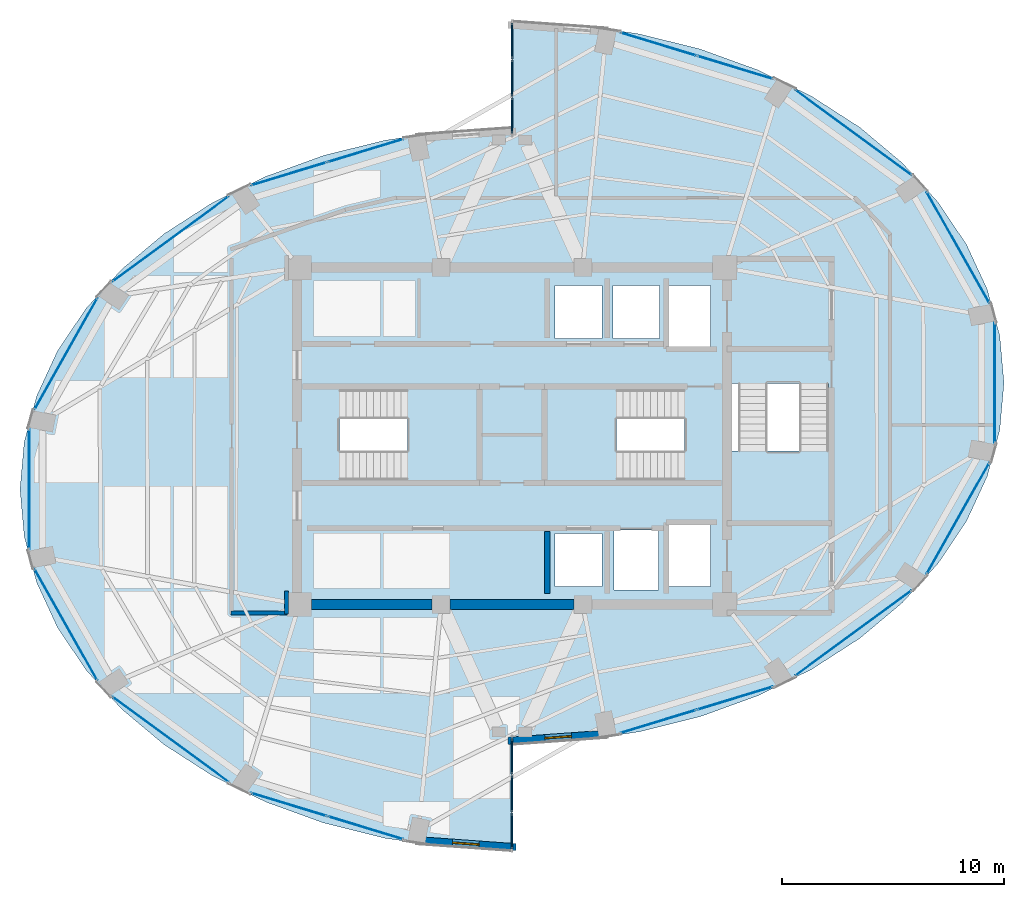
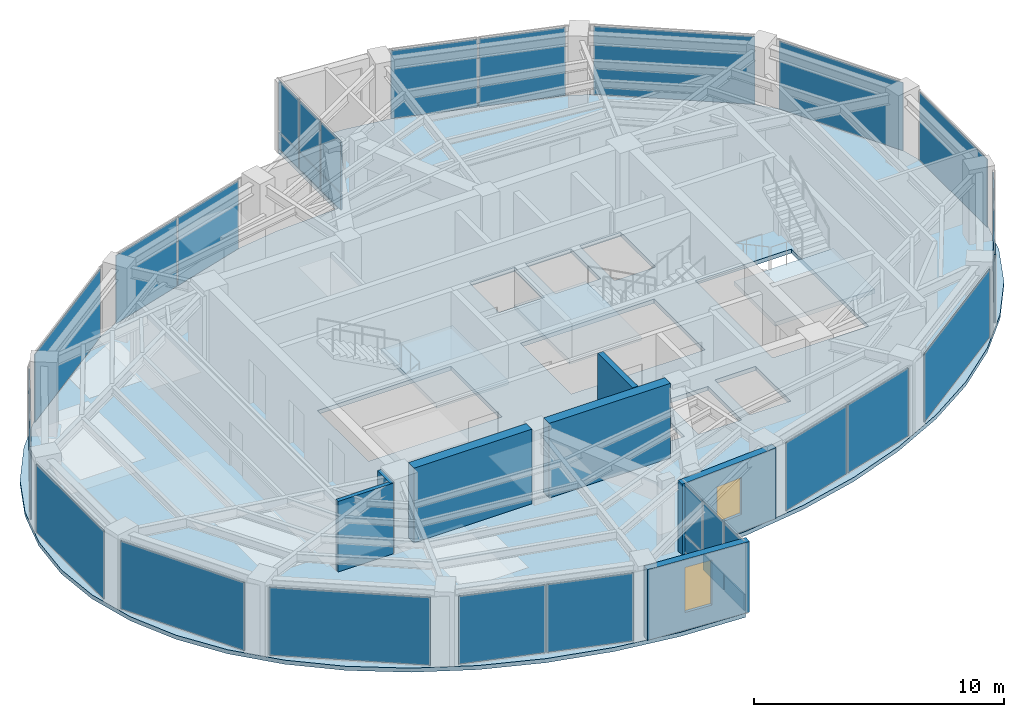
# One storey, part 18 of 22: 30 plates, 7 walls, 4 slabs, 2 windows, 2 openings, 19 elements without a shape of their own.
"""IFC4 building model written with IfcOpenShell, lengths in metres."""

from ifc_helpers import new_model, si_unit, direction, frame, frame_2d, origin, origin_2d, place, context, subcontext, project, spatial, polyline, rectangle, outline, extrude, material, layer, layer_set, type_object, element, fill, aggregate, save


model = new_model("IFC4")

# Units and contexts
model_context = context("Model", 3, precision=1e-05, world=origin(), true_north=direction((0.0, 1.0)))
body_context = subcontext(model_context, "Body", "Model", "MODEL_VIEW")
ifc_project = project(units=[si_unit("LENGTHUNIT", "METRE"), si_unit("AREAUNIT", "SQUARE_METRE"), si_unit("VOLUMEUNIT", "CUBIC_METRE"), si_unit("PLANEANGLEUNIT", "RADIAN"), si_unit("MASSUNIT", "GRAM", prefix="KILO")], contexts=[model_context])

# Site, building, storey
site_placement = place(None, origin())
site = spatial("IfcSite", under=ifc_project, at=site_placement, CompositionType="ELEMENT")
building_placement = place(site_placement, origin())
building = spatial("IfcBuilding", under=site, at=building_placement, Name="Lazwardi Medical Tower", CompositionType="ELEMENT")
storey_placement = place(building_placement, frame((0.0, 0.0, 255.02392578125)))
storey = spatial("IfcBuildingStorey", under=building, at=storey_placement, Name="L66", CompositionType="ELEMENT", Elevation=255.02392578125)

# Curtain wall, plates
ifc_material_1 = material(Name="Anodised bronze aluminium and solar control glazing", Category="aluminium")
ifc_layer_1 = layer(ifc_material_1, 0.18994140625)
ifc_layer_set_1 = layer_set([ifc_layer_1], Name="Anodised bronze aluminium and solar control glazing")
curtain_wall_type_1 = type_object("IfcCurtainWallType", Name="CW-SYS-04", PredefinedType="NOTDEFINED", material=ifc_layer_set_1)
curtain_wall_1_placement = place(storey_placement, origin())
curtain_wall_1 = element("IfcCurtainWall", 1, at=curtain_wall_1_placement, inside=storey, type_object=curtain_wall_type_1, Name="L66 Unitised bronze curtain wall CW-04", PredefinedType="NOTDEFINED")
ifc_material_2 = material(Name="Low-e bronze solar control double glazing", Category="glass")
ifc_layer_2 = layer(ifc_material_2, 0.035888671875)
ifc_layer_set_2 = layer_set([ifc_layer_2], Name="Low-e bronze solar control double glazing")
plate_type_1 = type_object("IfcPlateType", Name="PLT-GLZ-01", PredefinedType="CURTAIN_PANEL", material=ifc_layer_set_2)
plate_1_placement = place(storey_placement, frame((42.604736328125, 15.118896484375, 0.06494140625), z_axis=(0.0, 0.0, 1.0), x_axis=(0.956850126972, 0.290581889515, 0.0)))
plate_1 = element("IfcPlate", 2, at=plate_1_placement, type_object=plate_type_1, Name="CW-04 panel 1.1", PredefinedType="CURTAIN_PANEL", context=body_context, shape_type="SweptSolid", body=[
    extrude(rectangle(XDim=3.554443359375, YDim=0.035888671875, at=origin_2d()), origin(), (0.0, 0.0, 1.0), 3.318115234375),
])
plate_2_placement = place(storey_placement, frame((46.068115234375, 16.170654296875, 0.06494140625), z_axis=(0.0, 0.0, 1.0), x_axis=(0.956850126972, 0.290581889515, 0.0)))
plate_2 = element("IfcPlate", 3, at=plate_2_placement, type_object=plate_type_1, Name="CW-04 panel 2.1", PredefinedType="CURTAIN_PANEL", context=body_context, shape_type="SweptSolid", body=[
    extrude(rectangle(XDim=3.554443359375, YDim=0.035888671875, at=origin_2d()), origin(), (0.0, 0.0, 1.0), 3.318115234375),
])
aggregate(curtain_wall_1, [plate_1, plate_2])

# Curtain wall, plate
curtain_wall_2_placement = place(storey_placement, origin())
curtain_wall_2 = element("IfcCurtainWall", 4, at=curtain_wall_2_placement, inside=storey, type_object=curtain_wall_type_1, Name="L66 Unitised bronze curtain wall CW-04", PredefinedType="NOTDEFINED")
plate_3_placement = place(storey_placement, frame((51.403564453125, 19.106689453125, 0.06494140625), z_axis=(0.0, 0.0, 1.0), x_axis=(0.806474971121, 0.591268230971, 0.0)))
plate_3 = element("IfcPlate", 5, at=plate_3_placement, type_object=plate_type_1, Name="CW-04 panel 1.1", PredefinedType="CURTAIN_PANEL", context=body_context, shape_type="SweptSolid", body=[
    extrude(rectangle(XDim=6.502685546875, YDim=0.035888671875, at=origin_2d()), origin(), (0.0, 0.0, 1.0), 3.318115234375),
])
aggregate(curtain_wall_2, [plate_3])

curtain_wall_3_placement = place(storey_placement, origin())
curtain_wall_3 = element("IfcCurtainWall", 6, at=curtain_wall_3_placement, inside=storey, type_object=curtain_wall_type_1, Name="L66 Unitised bronze curtain wall CW-04", PredefinedType="NOTDEFINED")
plate_4_placement = place(storey_placement, frame((56.125732421875, 24.2880859375, 0.06494140625), z_axis=(0.0, 0.0, 1.0), x_axis=(0.491900474661, 0.870651436011, 0.0)))
plate_4 = element("IfcPlate", 7, at=plate_4_placement, type_object=plate_type_1, Name="CW-04 panel 1.1", PredefinedType="CURTAIN_PANEL", context=body_context, shape_type="SweptSolid", body=[
    extrude(rectangle(XDim=5.755126953125, YDim=0.035888671875, at=origin_2d()), origin(), (0.0, 0.0, 1.0), 3.318115234375),
])
aggregate(curtain_wall_3, [plate_4])

curtain_wall_4_placement = place(storey_placement, origin())
curtain_wall_4 = element("IfcCurtainWall", 8, at=curtain_wall_4_placement, inside=storey, type_object=curtain_wall_type_1, Name="L66 Unitised bronze curtain wall CW-04", PredefinedType="NOTDEFINED")
plate_5_placement = place(storey_placement, frame((57.7841796875, 30.39990234375, 0.06494140625), z_axis=(0.0, 0.0, 1.0), x_axis=(0.0, 1.0, 0.0)))
plate_5 = element("IfcPlate", 9, at=plate_5_placement, type_object=plate_type_1, Name="CW-04 panel 1.1", PredefinedType="CURTAIN_PANEL", context=body_context, shape_type="SweptSolid", body=[
    extrude(rectangle(XDim=5.416015625, YDim=0.035888671875, at=origin_2d()), origin(), (0.0, 0.0, 1.0), 3.318115234375),
])
aggregate(curtain_wall_4, [plate_5])

curtain_wall_5_placement = place(storey_placement, origin())
curtain_wall_5 = element("IfcCurtainWall", 10, at=curtain_wall_5_placement, inside=storey, type_object=curtain_wall_type_1, Name="L66 Unitised bronze curtain wall CW-04", PredefinedType="NOTDEFINED")
plate_6_placement = place(storey_placement, frame((56.125732421875, 36.511962890625, 0.06494140625), z_axis=(0.0, 0.0, 1.0), x_axis=(-0.491900474661, 0.870651436011, 0.0)))
plate_6 = element("IfcPlate", 11, at=plate_6_placement, type_object=plate_type_1, Name="CW-04 panel 1.1", PredefinedType="CURTAIN_PANEL", context=body_context, shape_type="SweptSolid", body=[
    extrude(rectangle(XDim=5.755126953125, YDim=0.035888671875, at=origin_2d()), origin(), (0.0, 0.0, 1.0), 3.318115234375),
])
aggregate(curtain_wall_5, [plate_6])

curtain_wall_6_placement = place(storey_placement, origin())
curtain_wall_6 = element("IfcCurtainWall", 12, at=curtain_wall_6_placement, inside=storey, type_object=curtain_wall_type_1, Name="L66 Unitised bronze curtain wall CW-04", PredefinedType="NOTDEFINED")
plate_7_placement = place(storey_placement, frame((51.403564453125, 41.693359375, 0.06494140625), z_axis=(0.0, 0.0, 1.0), x_axis=(-0.806474971121, 0.591268230971, 0.0)))
plate_7 = element("IfcPlate", 13, at=plate_7_placement, type_object=plate_type_1, Name="CW-04 panel 1.1", PredefinedType="CURTAIN_PANEL", context=body_context, shape_type="SweptSolid", body=[
    extrude(rectangle(XDim=6.502685546875, YDim=0.035888671875, at=origin_2d()), origin(), (0.0, 0.0, 1.0), 3.318115234375),
])
aggregate(curtain_wall_6, [plate_7])

# Curtain wall, plates
curtain_wall_7_placement = place(storey_placement, origin())
curtain_wall_7 = element("IfcCurtainWall", 14, at=curtain_wall_7_placement, inside=storey, type_object=curtain_wall_type_1, Name="L66 Unitised bronze curtain wall CW-04", PredefinedType="NOTDEFINED")
plate_8_placement = place(storey_placement, frame((46.068115234375, 44.62939453125, 0.06494140625), z_axis=(0.0, 0.0, 1.0), x_axis=(-0.956850126972, 0.290581889515, 0.0)))
plate_8 = element("IfcPlate", 15, at=plate_8_placement, type_object=plate_type_1, Name="CW-04 panel 1.1", PredefinedType="CURTAIN_PANEL", context=body_context, shape_type="SweptSolid", body=[
    extrude(rectangle(XDim=3.554443359375, YDim=0.035888671875, at=origin_2d()), origin(), (0.0, 0.0, 1.0), 3.318115234375),
])
plate_9_placement = place(storey_placement, frame((42.604736328125, 45.68115234375, 0.06494140625), z_axis=(0.0, 0.0, 1.0), x_axis=(-0.956850126972, 0.290581889515, 0.0)))
plate_9 = element("IfcPlate", 16, at=plate_9_placement, type_object=plate_type_1, Name="CW-04 panel 2.1", PredefinedType="CURTAIN_PANEL", context=body_context, shape_type="SweptSolid", body=[
    extrude(rectangle(XDim=3.554443359375, YDim=0.035888671875, at=origin_2d()), origin(), (0.0, 0.0, 1.0), 3.318115234375),
])
aggregate(curtain_wall_7, [plate_8, plate_9])

curtain_wall_8_placement = place(storey_placement, origin())
curtain_wall_8 = element("IfcCurtainWall", 17, at=curtain_wall_8_placement, inside=storey, type_object=curtain_wall_type_1, Name="L66 Unitised bronze curtain wall CW-04", PredefinedType="NOTDEFINED")
plate_10_placement = place(storey_placement, frame((29.395263671875, 40.881103515625, 0.06494140625), z_axis=(0.0, 0.0, 1.0), x_axis=(-0.956850126972, -0.290581889515, 0.0)))
plate_10 = element("IfcPlate", 18, at=plate_10_placement, type_object=plate_type_1, Name="CW-04 panel 1.1", PredefinedType="CURTAIN_PANEL", context=body_context, shape_type="SweptSolid", body=[
    extrude(rectangle(XDim=3.554443359375, YDim=0.035888671875, at=origin_2d()), origin(), (0.0, 0.0, 1.0), 3.318115234375),
])
plate_11_placement = place(storey_placement, frame((25.931884765625, 39.829345703125, 0.06494140625), z_axis=(0.0, 0.0, 1.0), x_axis=(-0.956850126972, -0.290581889515, 0.0)))
plate_11 = element("IfcPlate", 19, at=plate_11_placement, type_object=plate_type_1, Name="CW-04 panel 2.1", PredefinedType="CURTAIN_PANEL", context=body_context, shape_type="SweptSolid", body=[
    extrude(rectangle(XDim=3.554443359375, YDim=0.035888671875, at=origin_2d()), origin(), (0.0, 0.0, 1.0), 3.318115234375),
])
aggregate(curtain_wall_8, [plate_10, plate_11])

# Curtain wall, plate
curtain_wall_9_placement = place(storey_placement, origin())
curtain_wall_9 = element("IfcCurtainWall", 20, at=curtain_wall_9_placement, inside=storey, type_object=curtain_wall_type_1, Name="L66 Unitised bronze curtain wall CW-04", PredefinedType="NOTDEFINED")
plate_12_placement = place(storey_placement, frame((20.596435546875, 36.893310546875, 0.06494140625), z_axis=(0.0, 0.0, 1.0), x_axis=(-0.806474971121, -0.591268230971, 0.0)))
plate_12 = element("IfcPlate", 21, at=plate_12_placement, type_object=plate_type_1, Name="CW-04 panel 1.1", PredefinedType="CURTAIN_PANEL", context=body_context, shape_type="SweptSolid", body=[
    extrude(rectangle(XDim=6.502685546875, YDim=0.035888671875, at=origin_2d()), origin(), (0.0, 0.0, 1.0), 3.318115234375),
])
aggregate(curtain_wall_9, [plate_12])

curtain_wall_10_placement = place(storey_placement, origin())
curtain_wall_10 = element("IfcCurtainWall", 22, at=curtain_wall_10_placement, inside=storey, type_object=curtain_wall_type_1, Name="L66 Unitised bronze curtain wall CW-04", PredefinedType="NOTDEFINED")
plate_13_placement = place(storey_placement, frame((15.874267578125, 31.7119140625, 0.06494140625), z_axis=(0.0, 0.0, 1.0), x_axis=(-0.491900474661, -0.870651436011, 0.0)))
plate_13 = element("IfcPlate", 23, at=plate_13_placement, type_object=plate_type_1, Name="CW-04 panel 1.1", PredefinedType="CURTAIN_PANEL", context=body_context, shape_type="SweptSolid", body=[
    extrude(rectangle(XDim=5.755126953125, YDim=0.035888671875, at=origin_2d()), origin(), (0.0, 0.0, 1.0), 3.318115234375),
])
aggregate(curtain_wall_10, [plate_13])

curtain_wall_11_placement = place(storey_placement, origin())
curtain_wall_11 = element("IfcCurtainWall", 24, at=curtain_wall_11_placement, inside=storey, type_object=curtain_wall_type_1, Name="L66 Unitised bronze curtain wall CW-04", PredefinedType="NOTDEFINED")
plate_14_placement = place(storey_placement, frame((14.2158203125, 25.60009765625, 0.06494140625), z_axis=(0.0, 0.0, 1.0), x_axis=(0.0, -1.0, 0.0)))
plate_14 = element("IfcPlate", 25, at=plate_14_placement, type_object=plate_type_1, Name="CW-04 panel 1.1", PredefinedType="CURTAIN_PANEL", context=body_context, shape_type="SweptSolid", body=[
    extrude(rectangle(XDim=5.416015625, YDim=0.035888671875, at=origin_2d()), origin(), (0.0, 0.0, 1.0), 3.318115234375),
])
aggregate(curtain_wall_11, [plate_14])

curtain_wall_12_placement = place(storey_placement, origin())
curtain_wall_12 = element("IfcCurtainWall", 26, at=curtain_wall_12_placement, inside=storey, type_object=curtain_wall_type_1, Name="L66 Unitised bronze curtain wall CW-04", PredefinedType="NOTDEFINED")
plate_15_placement = place(storey_placement, frame((15.874267578125, 19.488037109375, 0.06494140625), z_axis=(0.0, 0.0, 1.0), x_axis=(0.491900474661, -0.870651436011, 0.0)))
plate_15 = element("IfcPlate", 27, at=plate_15_placement, type_object=plate_type_1, Name="CW-04 panel 1.1", PredefinedType="CURTAIN_PANEL", context=body_context, shape_type="SweptSolid", body=[
    extrude(rectangle(XDim=5.755126953125, YDim=0.035888671875, at=origin_2d()), origin(), (0.0, 0.0, 1.0), 3.318115234375),
])
aggregate(curtain_wall_12, [plate_15])

curtain_wall_13_placement = place(storey_placement, origin())
curtain_wall_13 = element("IfcCurtainWall", 28, at=curtain_wall_13_placement, inside=storey, type_object=curtain_wall_type_1, Name="L66 Unitised bronze curtain wall CW-04", PredefinedType="NOTDEFINED")
plate_16_placement = place(storey_placement, frame((20.596435546875, 14.306640625, 0.06494140625), z_axis=(0.0, 0.0, 1.0), x_axis=(0.806474971121, -0.591268230971, 0.0)))
plate_16 = element("IfcPlate", 29, at=plate_16_placement, type_object=plate_type_1, Name="CW-04 panel 1.1", PredefinedType="CURTAIN_PANEL", context=body_context, shape_type="SweptSolid", body=[
    extrude(rectangle(XDim=6.502685546875, YDim=0.035888671875, at=origin_2d()), origin(), (0.0, 0.0, 1.0), 3.318115234375),
])
aggregate(curtain_wall_13, [plate_16])

# Curtain wall, plates
curtain_wall_14_placement = place(storey_placement, origin())
curtain_wall_14 = element("IfcCurtainWall", 30, at=curtain_wall_14_placement, inside=storey, type_object=curtain_wall_type_1, Name="L66 Unitised bronze curtain wall CW-04", PredefinedType="NOTDEFINED")
plate_17_placement = place(storey_placement, frame((25.931884765625, 11.37060546875, 0.06494140625), z_axis=(0.0, 0.0, 1.0), x_axis=(0.956850126972, -0.290581889515, 0.0)))
plate_17 = element("IfcPlate", 31, at=plate_17_placement, type_object=plate_type_1, Name="CW-04 panel 1.1", PredefinedType="CURTAIN_PANEL", context=body_context, shape_type="SweptSolid", body=[
    extrude(rectangle(XDim=3.554443359375, YDim=0.035888671875, at=origin_2d()), origin(), (0.0, 0.0, 1.0), 3.318115234375),
])
plate_18_placement = place(storey_placement, frame((29.395263671875, 10.31884765625, 0.06494140625), z_axis=(0.0, 0.0, 1.0), x_axis=(0.956850126972, -0.290581889515, 0.0)))
plate_18 = element("IfcPlate", 32, at=plate_18_placement, type_object=plate_type_1, Name="CW-04 panel 2.1", PredefinedType="CURTAIN_PANEL", context=body_context, shape_type="SweptSolid", body=[
    extrude(rectangle(XDim=3.554443359375, YDim=0.035888671875, at=origin_2d()), origin(), (0.0, 0.0, 1.0), 3.318115234375),
])
aggregate(curtain_wall_14, [plate_17, plate_18])

ifc_layer_3 = layer(ifc_material_1, 0.2099609375)
ifc_layer_set_3 = layer_set([ifc_layer_3], Name="Anodised bronze aluminium and solar control glazing")
curtain_wall_type_2 = type_object("IfcCurtainWallType", Name="CW-SYS-06", PredefinedType="NOTDEFINED", material=ifc_layer_set_3)
curtain_wall_15_placement = place(storey_placement, origin())
curtain_wall_15 = element("IfcCurtainWall", 33, at=curtain_wall_15_placement, inside=storey, type_object=curtain_wall_type_2, Name="L66 Unitised bronze curtain wall CW-06", PredefinedType="NOTDEFINED")
ifc_material_3 = material(Name="Turquoise glazed ceramic insulated panel", Category="glass")
ifc_layer_4 = layer(ifc_material_3, 0.053955078125)
ifc_layer_set_4 = layer_set([ifc_layer_4], Name="Turquoise glazed ceramic insulated panel")
plate_type_2 = type_object("IfcPlateType", Name="PLT-TRQ-01", PredefinedType="CURTAIN_PANEL", material=ifc_layer_set_4)
plate_19_placement = place(storey_placement, frame((36.0, 45.827880859375, 0.074951171875), z_axis=(0.0, 0.0, 1.0), x_axis=(0.0, -1.0, 0.0)))
plate_19 = element("IfcPlate", 34, at=plate_19_placement, type_object=plate_type_2, Name="CW-06 panel 1.1", PredefinedType="CURTAIN_PANEL", context=body_context, shape_type="SweptSolid", body=[
    extrude(rectangle(XDim=1.59423828125, YDim=0.053955078125, at=origin_2d()), origin(), (0.0, 0.0, 1.0), 0.78759765625),
])
plate_20_placement = place(storey_placement, frame((36.0, 45.827880859375, 0.9375), z_axis=(0.0, 0.0, 1.0), x_axis=(0.0, -1.0, 0.0)))
plate_20 = element("IfcPlate", 35, at=plate_20_placement, type_object=plate_type_2, Name="CW-06 panel 1.2", PredefinedType="CURTAIN_PANEL", context=body_context, shape_type="SweptSolid", body=[
    extrude(rectangle(XDim=1.59423828125, YDim=0.053955078125, at=origin_2d()), origin(), (0.0, 0.0, 1.0), 2.435546875),
])
plate_21_placement = place(storey_placement, frame((36.0, 44.139892578125, 0.074951171875), z_axis=(0.0, 0.0, 1.0), x_axis=(0.0, -1.0, 0.0)))
plate_21 = element("IfcPlate", 36, at=plate_21_placement, type_object=plate_type_2, Name="CW-06 panel 2.1", PredefinedType="CURTAIN_PANEL", context=body_context, shape_type="SweptSolid", body=[
    extrude(rectangle(XDim=1.631591796875, YDim=0.053955078125, at=origin_2d()), origin(), (0.0, 0.0, 1.0), 0.78759765625),
])
plate_22_placement = place(storey_placement, frame((36.0, 44.139892578125, 0.9375), z_axis=(0.0, 0.0, 1.0), x_axis=(0.0, -1.0, 0.0)))
plate_22 = element("IfcPlate", 37, at=plate_22_placement, type_object=plate_type_2, Name="CW-06 panel 2.2", PredefinedType="CURTAIN_PANEL", context=body_context, shape_type="SweptSolid", body=[
    extrude(rectangle(XDim=1.631591796875, YDim=0.053955078125, at=origin_2d()), origin(), (0.0, 0.0, 1.0), 2.435546875),
])
plate_23_placement = place(storey_placement, frame((36.0, 42.4521484375, 0.074951171875), z_axis=(0.0, 0.0, 1.0), x_axis=(0.0, -1.0, 0.0)))
plate_23 = element("IfcPlate", 38, at=plate_23_placement, type_object=plate_type_2, Name="CW-06 panel 3.1", PredefinedType="CURTAIN_PANEL", context=body_context, shape_type="SweptSolid", body=[
    extrude(rectangle(XDim=1.59423828125, YDim=0.053955078125, at=origin_2d()), origin(), (0.0, 0.0, 1.0), 0.78759765625),
])
plate_24_placement = place(storey_placement, frame((36.0, 42.4521484375, 0.9375), z_axis=(0.0, 0.0, 1.0), x_axis=(0.0, -1.0, 0.0)))
plate_24 = element("IfcPlate", 39, at=plate_24_placement, type_object=plate_type_2, Name="CW-06 panel 3.2", PredefinedType="CURTAIN_PANEL", context=body_context, shape_type="SweptSolid", body=[
    extrude(rectangle(XDim=1.59423828125, YDim=0.053955078125, at=origin_2d()), origin(), (0.0, 0.0, 1.0), 2.435546875),
])
aggregate(curtain_wall_15, [plate_19, plate_20, plate_21, plate_22, plate_23, plate_24])

curtain_wall_16_placement = place(storey_placement, origin())
curtain_wall_16 = element("IfcCurtainWall", 40, at=curtain_wall_16_placement, inside=storey, type_object=curtain_wall_type_2, Name="L66 Unitised bronze curtain wall CW-06", PredefinedType="NOTDEFINED")
plate_25_placement = place(storey_placement, frame((36.0, 10.172119140625, 0.074951171875), z_axis=(0.0, 0.0, 1.0), x_axis=(0.0, 1.0, 0.0)))
plate_25 = element("IfcPlate", 41, at=plate_25_placement, type_object=plate_type_2, Name="CW-06 panel 1.1", PredefinedType="CURTAIN_PANEL", context=body_context, shape_type="SweptSolid", body=[
    extrude(rectangle(XDim=1.59423828125, YDim=0.053955078125, at=origin_2d()), origin(), (0.0, 0.0, 1.0), 0.78759765625),
])
plate_26_placement = place(storey_placement, frame((36.0, 10.172119140625, 0.9375), z_axis=(0.0, 0.0, 1.0), x_axis=(0.0, 1.0, 0.0)))
plate_26 = element("IfcPlate", 42, at=plate_26_placement, type_object=plate_type_2, Name="CW-06 panel 1.2", PredefinedType="CURTAIN_PANEL", context=body_context, shape_type="SweptSolid", body=[
    extrude(rectangle(XDim=1.59423828125, YDim=0.053955078125, at=origin_2d()), origin(), (0.0, 0.0, 1.0), 2.435546875),
])
plate_27_placement = place(storey_placement, frame((36.0, 11.860107421875, 0.074951171875), z_axis=(0.0, 0.0, 1.0), x_axis=(0.0, 1.0, 0.0)))
plate_27 = element("IfcPlate", 43, at=plate_27_placement, type_object=plate_type_2, Name="CW-06 panel 2.1", PredefinedType="CURTAIN_PANEL", context=body_context, shape_type="SweptSolid", body=[
    extrude(rectangle(XDim=1.631591796875, YDim=0.053955078125, at=origin_2d()), origin(), (0.0, 0.0, 1.0), 0.78759765625),
])
plate_28_placement = place(storey_placement, frame((36.0, 11.860107421875, 0.9375), z_axis=(0.0, 0.0, 1.0), x_axis=(0.0, 1.0, 0.0)))
plate_28 = element("IfcPlate", 44, at=plate_28_placement, type_object=plate_type_2, Name="CW-06 panel 2.2", PredefinedType="CURTAIN_PANEL", context=body_context, shape_type="SweptSolid", body=[
    extrude(rectangle(XDim=1.631591796875, YDim=0.053955078125, at=origin_2d()), origin(), (0.0, 0.0, 1.0), 2.435546875),
])
plate_29_placement = place(storey_placement, frame((36.0, 13.5478515625, 0.074951171875), z_axis=(0.0, 0.0, 1.0), x_axis=(0.0, 1.0, 0.0)))
plate_29 = element("IfcPlate", 45, at=plate_29_placement, type_object=plate_type_2, Name="CW-06 panel 3.1", PredefinedType="CURTAIN_PANEL", context=body_context, shape_type="SweptSolid", body=[
    extrude(rectangle(XDim=1.59423828125, YDim=0.053955078125, at=origin_2d()), origin(), (0.0, 0.0, 1.0), 0.78759765625),
])
plate_30_placement = place(storey_placement, frame((36.0, 13.5478515625, 0.9375), z_axis=(0.0, 0.0, 1.0), x_axis=(0.0, 1.0, 0.0)))
plate_30 = element("IfcPlate", 46, at=plate_30_placement, type_object=plate_type_2, Name="CW-06 panel 3.2", PredefinedType="CURTAIN_PANEL", context=body_context, shape_type="SweptSolid", body=[
    extrude(rectangle(XDim=1.59423828125, YDim=0.053955078125, at=origin_2d()), origin(), (0.0, 0.0, 1.0), 2.435546875),
])
aggregate(curtain_wall_16, [plate_25, plate_26, plate_27, plate_28, plate_29, plate_30])

# Stair, slab
ifc_material_4 = material(Name="Concrete C45/55", Category="concrete")
stair_type = type_object("IfcStairType", Name="STR-WRD", PredefinedType="HALF_TURN_STAIR", material=ifc_material_4)
stair_1_placement = place(storey_placement, origin())
stair_1 = element("IfcStair", 47, at=stair_1_placement, inside=storey, type_object=stair_type, Name="L66 Protected Exit Stair ST1", PredefinedType="HALF_TURN_STAIR")
ifc_layer_5 = layer(ifc_material_4, 0.199951171875)
ifc_layer_set_5 = layer_set([ifc_layer_5], Name="Concrete C45/55")
slab_type_1 = type_object("IfcSlabType", Name="SLB-LND-190", PredefinedType="LANDING", material=ifc_layer_set_5)
slab_1_placement = place(storey_placement, frame((0.0, 0.0, 1.6240234375)))
slab_1 = element("IfcSlab", 48, at=slab_1_placement, type_object=slab_type_1, Name="ST1 landing 1", PredefinedType="LANDING", context=body_context, shape_type="SweptSolid", body=[
    extrude(outline(polyline([(31.27490234375, 25.840087890625), (34.580078125, 25.840087890625), (34.580078125, 30.280029296875), (31.27490234375, 30.280029296875), (31.27490234375, 25.840087890625)])), origin(), (0.0, 0.0, 1.0), 0.199951171875),
])
aggregate(stair_1, [slab_1])

stair_2_placement = place(storey_placement, origin())
stair_2 = element("IfcStair", 49, at=stair_2_placement, inside=storey, type_object=stair_type, Name="L66 Protected Exit Stair ST2", PredefinedType="HALF_TURN_STAIR")
slab_2_placement = place(storey_placement, frame((0.0, 0.0, 1.6240234375)))
slab_2 = element("IfcSlab", 50, at=slab_2_placement, type_object=slab_type_1, Name="ST2 landing 1", PredefinedType="LANDING", context=body_context, shape_type="SweptSolid", body=[
    extrude(outline(polyline([(40.72509765625, 30.280029296875), (37.419921875, 30.280029296875), (37.419921875, 25.840087890625), (40.72509765625, 25.840087890625), (40.72509765625, 30.280029296875)])), origin(), (0.0, 0.0, 1.0), 0.199951171875),
])
aggregate(stair_2, [slab_2])

stair_3_placement = place(storey_placement, origin())
stair_3 = element("IfcStair", 51, at=stair_3_placement, inside=storey, type_object=stair_type, Name="L66 Protected Exit Stair ST3", PredefinedType="HALF_TURN_STAIR")
slab_3_placement = place(storey_placement, frame((0.0, 0.0, 1.6240234375)))
slab_3 = element("IfcSlab", 52, at=slab_3_placement, type_object=slab_type_1, Name="ST3 landing 1", PredefinedType="LANDING", context=body_context, shape_type="SweptSolid", body=[
    extrude(outline(polyline([(45.860107421875, 27.324951171875), (45.860107421875, 24.02001953125), (50.4599609375, 24.02001953125), (50.4599609375, 27.324951171875), (45.860107421875, 27.324951171875)])), origin(), (0.0, 0.0, 1.0), 0.199951171875),
])
aggregate(stair_3, [slab_3])

# Slab
ifc_material_5 = material(Name="Concrete C50/60", Category="concrete")
ifc_layer_6 = layer(ifc_material_5, 0.199951171875)
ifc_layer_set_6 = layer_set([ifc_layer_6], Name="Concrete C50/60")
slab_type_2 = type_object("IfcSlabType", Name="SLB-UPP-200", PredefinedType="FLOOR", material=ifc_layer_set_6)
slab_4_placement = place(storey_placement, frame((0.0, 0.0, -0.199951171875)))
element("IfcSlab", 53, at=slab_4_placement, inside=storey, type_object=slab_type_2, Name="Structural floor slab SF-04 L66", PredefinedType="FLOOR", context=body_context, shape_type="SweptSolid", body=[
    extrude(outline(polyline([(18.3876953125, 15.67724609375), (20.30224609375, 14.07421875), (22.485595703125, 12.668212890625), (24.89990234375, 11.48388671875), (27.50439453125, 10.540771484375), (30.254150390625, 9.85546875), (33.102294921875, 9.439453125), (36.0, 9.300048828125), (36.0, 14.10009765625), (38.897705078125, 14.239501953125), (41.745849609375, 14.655517578125), (44.49560546875, 15.3408203125), (47.10009765625, 16.28369140625), (49.514404296875, 17.46826171875), (51.69775390625, 18.874267578125), (53.6123046875, 20.477294921875), (55.225830078125, 22.25), (56.510009765625, 24.162353515625), (57.443603515625, 26.18115234375), (58.010009765625, 28.2724609375), (58.199951171875, 30.39990234375), (58.010009765625, 32.527587890625), (57.443603515625, 34.618896484375), (56.510009765625, 36.6376953125), (55.225830078125, 38.550048828125), (53.6123046875, 40.32275390625), (51.69775390625, 41.92578125), (49.514404296875, 43.331787109375), (47.10009765625, 44.51611328125), (44.49560546875, 45.459228515625), (41.745849609375, 46.14453125), (38.897705078125, 46.560546875), (36.0, 46.699951171875), (36.0, 41.89990234375), (33.102294921875, 41.760498046875), (30.254150390625, 41.344482421875), (27.50439453125, 40.6591796875), (24.89990234375, 39.71630859375), (22.485595703125, 38.53173828125), (20.30224609375, 37.125732421875), (18.3876953125, 35.522705078125), (16.774169921875, 33.75), (15.489990234375, 31.837646484375), (14.556396484375, 29.81884765625), (13.989990234375, 27.7275390625), (13.800048828125, 25.60009765625), (13.989990234375, 23.472412109375), (14.556396484375, 21.381103515625), (15.489990234375, 19.3623046875), (16.774169921875, 17.449951171875), (18.3876953125, 15.67724609375)]), holes=[polyline([(28.22509765625, 26.02001953125), (28.22509765625, 30.10009765625), (34.39990234375, 30.10009765625), (34.39990234375, 26.02001953125), (28.22509765625, 26.02001953125)]), polyline([(37.60009765625, 30.10009765625), (43.77490234375, 30.10009765625), (43.77490234375, 26.02001953125), (37.60009765625, 26.02001953125), (37.60009765625, 30.10009765625)]), polyline([(50.280029296875, 30.375), (50.280029296875, 24.179931640625), (45.840087890625, 24.179931640625), (45.840087890625, 30.375), (50.280029296875, 30.375)]), polyline([(40.050048828125, 32.39990234375), (37.949951171875, 32.39990234375), (37.949951171875, 34.800048828125), (40.050048828125, 34.800048828125), (40.050048828125, 32.39990234375)]), polyline([(40.550048828125, 32.39990234375), (40.550048828125, 34.800048828125), (42.64990234375, 34.800048828125), (42.64990234375, 32.39990234375), (40.550048828125, 32.39990234375)]), polyline([(37.949951171875, 23.60009765625), (40.050048828125, 23.60009765625), (40.050048828125, 21.199951171875), (37.949951171875, 21.199951171875), (37.949951171875, 23.60009765625)]), polyline([(44.949951171875, 34.800048828125), (44.949951171875, 32.0), (43.050048828125, 32.0), (43.050048828125, 34.800048828125), (44.949951171875, 34.800048828125)]), polyline([(44.949951171875, 21.199951171875), (43.050048828125, 21.199951171875), (43.050048828125, 24.0), (44.949951171875, 24.0), (44.949951171875, 21.199951171875)]), polyline([(40.60009765625, 21.050048828125), (40.60009765625, 23.75), (42.60009765625, 23.75), (42.60009765625, 21.050048828125), (40.60009765625, 21.050048828125)])]), origin(), (0.0, 0.0, 1.0), 0.199951171875),
])

# Walls
ifc_material_6 = material(Name="Fire-rated gypsum board on steel stud", Category="steel")
ifc_layer_7 = layer(ifc_material_6, 0.179931640625)
ifc_layer_set_7 = layer_set([ifc_layer_7], Name="Fire-rated gypsum board on steel stud")
wall_type_1 = type_object("IfcWallType", Name="WL-COR-180", PredefinedType="PARTITIONING", material=ifc_layer_set_7)
wall_1_placement = place(storey_placement, frame((25.830078125, 21.010009765625, 0.0), z_axis=(0.0, 0.0, 1.0), x_axis=(0.0, -1.0, 0.0)))
element("IfcWall", 54, at=wall_1_placement, inside=storey, type_object=wall_type_1, Name="L66 Corridor partition 8", PredefinedType="PARTITIONING", context=body_context, shape_type="SweptSolid", body=[
    extrude(rectangle(XDim=1.030029296875, YDim=0.179931640625, at=frame_2d((0.51513671875, 0.0))), origin(), (0.0, 0.0, 1.0), 3.447998046875),
])
wall_2_placement = place(storey_placement, frame((25.8701171875, 20.02001953125, 0.0), z_axis=(0.0, 0.0, 1.0), x_axis=(-1.0, 0.0, 0.0)))
element("IfcWall", 55, at=wall_2_placement, inside=storey, type_object=wall_type_1, Name="L66 Corridor partition 9", PredefinedType="PARTITIONING", context=body_context, shape_type="SweptSolid", body=[
    extrude(rectangle(XDim=2.56005859375, YDim=0.179931640625, at=frame_2d((1.280029296875, 0.0))), origin(), (0.0, 0.0, 1.0), 3.447998046875),
])
ifc_material_7 = material(Name="Concrete C60/75", Category="concrete")
ifc_layer_8 = layer(ifc_material_7, 0.449951171875)
ifc_layer_set_8 = layer_set([ifc_layer_8], Name="Concrete C60/75")
wall_type_2 = type_object("IfcWallType", Name="WL-CORE-450", PredefinedType="SHEAR", material=ifc_layer_set_8)
wall_3_placement = place(storey_placement, frame((26.949951171875, 20.39990234375, 0.0), z_axis=(0.0, 0.0, 1.0), x_axis=(1.0, 0.0, 0.0)))
element("IfcWall", 56, at=wall_3_placement, inside=storey, type_object=wall_type_2, Name="Core wall CW-S4 S1 L66", PredefinedType="SHEAR", context=body_context, shape_type="SweptSolid", body=[
    extrude(rectangle(XDim=5.449951171875, YDim=0.449951171875, at=frame_2d((2.72509765625, 0.0))), origin(), (0.0, 0.0, 1.0), 3.648193359375),
])
wall_4_placement = place(storey_placement, frame((33.199951171875, 20.39990234375, 0.0), z_axis=(0.0, 0.0, 1.0), x_axis=(1.0, 0.0, 0.0)))
element("IfcWall", 57, at=wall_4_placement, inside=storey, type_object=wall_type_2, Name="Core wall CW-S4 S2 L66", PredefinedType="SHEAR", context=body_context, shape_type="SweptSolid", body=[
    extrude(rectangle(XDim=5.60009765625, YDim=0.449951171875, at=frame_2d((2.800048828125, 0.0))), origin(), (0.0, 0.0, 1.0), 3.648193359375),
])

# Wall, opening, window
ifc_material_8 = material(Name="Precast concrete C45/55", Category="concrete")
ifc_layer_9 = layer(ifc_material_8, 0.320068359375)
ifc_layer_set_9 = layer_set([ifc_layer_9], Name="Precast concrete C45/55")
wall_type_3 = type_object("IfcWallType", Name="WL-IWAN-320", PredefinedType="SOLIDWALL", material=ifc_layer_set_9)
wall_5_placement = place(storey_placement, frame((35.820556640625, 14.2470703125, 0.0), z_axis=(0.0, 0.0, 1.0), x_axis=(0.997409061056, 0.071938619141, 0.0)))
wall_5 = element("IfcWall", 58, at=wall_5_placement, inside=storey, type_object=wall_type_3, Name="L66 Iwan Portal Return Wall SE_ret", PredefinedType="SOLIDWALL", context=body_context, shape_type="SweptSolid", body=[
    extrude(rectangle(XDim=4.540771484375, YDim=0.320068359375, at=frame_2d((2.2705078125, 0.0))), origin(), (0.0, 0.0, 1.0), 3.447998046875),
])
opening_1_placement = place(wall_5_placement, frame((1.67041015625, 0.0, 0.85009765625)))
opening_1 = element("IfcOpeningElement", 59, at=opening_1_placement, cuts=wall_5, Name="Opening WN-04", PredefinedType="OPENING", context=body_context, shape_type="SweptSolid", body=[
    extrude(rectangle(XDim=1.199951171875, YDim=1.800048828125, at=frame_2d((0.60009765625, 0.89990234375))), frame((0.0, 0.169921875, 0.0), z_axis=(0.0, -1.0, 0.0), x_axis=(1.0, 0.0, 0.0)), (0.0, 0.0, 1.0), 0.340087890625),
])
window_type_1 = type_object("IfcWindowType", Name="WIN-DRUM-1200", PartitioningType="SINGLE_PANEL", PredefinedType="WINDOW", material=ifc_material_2)
window_1_placement = place(opening_1_placement, origin())
window_1 = element("IfcWindow", 60, at=window_1_placement, inside=storey, type_object=window_type_1, Name="L66 Iwan Slot Window SE_ret", OverallHeight=1.800048828125, OverallWidth=1.199951171875, PartitioningType="SINGLE_PANEL", PredefinedType="WINDOW", context=body_context, shape_type="SweptSolid", body=[
    extrude(rectangle(XDim=1.199951171875, YDim=1.800048828125, at=frame_2d((0.60009765625, 0.89990234375))), frame((0.0, 0.030029296875, 0.0), z_axis=(0.0, -1.0, 0.0), x_axis=(1.0, 0.0, 0.0)), (0.0, 0.0, 1.0), 0.06005859375),
])
fill(opening_1, window_1)

wall_6_placement = place(storey_placement, frame((31.650390625, 9.773681640625, 0.0), z_axis=(0.0, 0.0, 1.0), x_axis=(0.997408782787, -0.071942477163, 0.0)))
wall_6 = element("IfcWall", 61, at=wall_6_placement, inside=storey, type_object=wall_type_3, Name="L66 Iwan Portal Return Wall SW_ret", PredefinedType="SOLIDWALL", context=body_context, shape_type="SweptSolid", body=[
    extrude(rectangle(XDim=4.54052734375, YDim=0.320068359375, at=frame_2d((2.270263671875, 0.0))), origin(), (0.0, 0.0, 1.0), 3.447998046875),
])
opening_2_placement = place(wall_6_placement, frame((1.67041015625, 0.0, 0.85009765625)))
opening_2 = element("IfcOpeningElement", 62, at=opening_2_placement, cuts=wall_6, Name="Opening WN-01", PredefinedType="OPENING", context=body_context, shape_type="SweptSolid", body=[
    extrude(rectangle(XDim=1.199951171875, YDim=2.199951171875, at=frame_2d((0.60009765625, 1.10009765625))), frame((0.0, 0.169921875, 0.0), z_axis=(0.0, -1.0, 0.0), x_axis=(1.0, 0.0, 0.0)), (0.0, 0.0, 1.0), 0.340087890625),
])
window_type_2 = type_object("IfcWindowType", Name="WIN-IW-1200", PartitioningType="SINGLE_PANEL", PredefinedType="WINDOW", material=ifc_material_2)
window_2_placement = place(opening_2_placement, origin())
window_2 = element("IfcWindow", 63, at=window_2_placement, inside=storey, type_object=window_type_2, Name="L66 Iwan Slot Window SW_ret", OverallHeight=2.199951171875, OverallWidth=1.199951171875, PartitioningType="SINGLE_PANEL", PredefinedType="WINDOW", context=body_context, shape_type="SweptSolid", body=[
    extrude(rectangle(XDim=1.199951171875, YDim=2.199951171875, at=frame_2d((0.60009765625, 1.10009765625))), frame((0.0, 0.030029296875, 0.0), z_axis=(0.0, -1.0, 0.0), x_axis=(1.0, 0.0, 0.0)), (0.0, 0.0, 1.0), 0.06005859375),
])
fill(opening_2, window_2)

# Wall
ifc_material_9 = material(Name="Autoclaved aerated concrete blockwork", Category="masonry")
ifc_layer_10 = layer(ifc_material_9, 0.25)
ifc_layer_set_10 = layer_set([ifc_layer_10], Name="Autoclaved aerated concrete blockwork")
wall_type_4 = type_object("IfcWallType", Name="WL-SHAFT-250", PredefinedType="SOLIDWALL", material=ifc_layer_set_10)
wall_7_placement = place(storey_placement, frame((37.60009765625, 20.89990234375, 0.0), z_axis=(0.0, 0.0, 1.0), x_axis=(0.0, 1.0, 0.0)))
element("IfcWall", 64, at=wall_7_placement, inside=storey, type_object=wall_type_4, Name="L66 South hoistway divider", PredefinedType="SOLIDWALL", context=body_context, shape_type="SweptSolid", body=[
    extrude(rectangle(XDim=2.800048828125, YDim=0.25, at=frame_2d((1.39990234375, 0.0))), origin(), (0.0, 0.0, 1.0), 3.447998046875),
])

save(model, "model.ifc")
